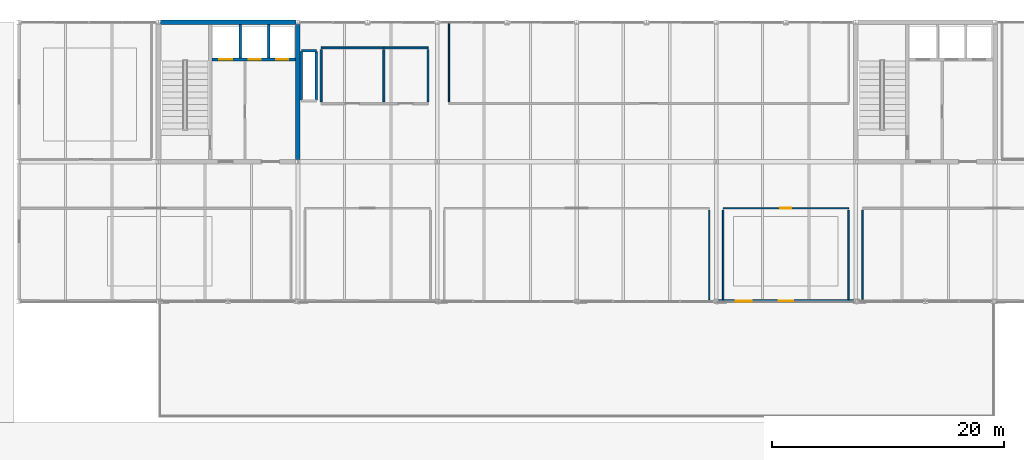
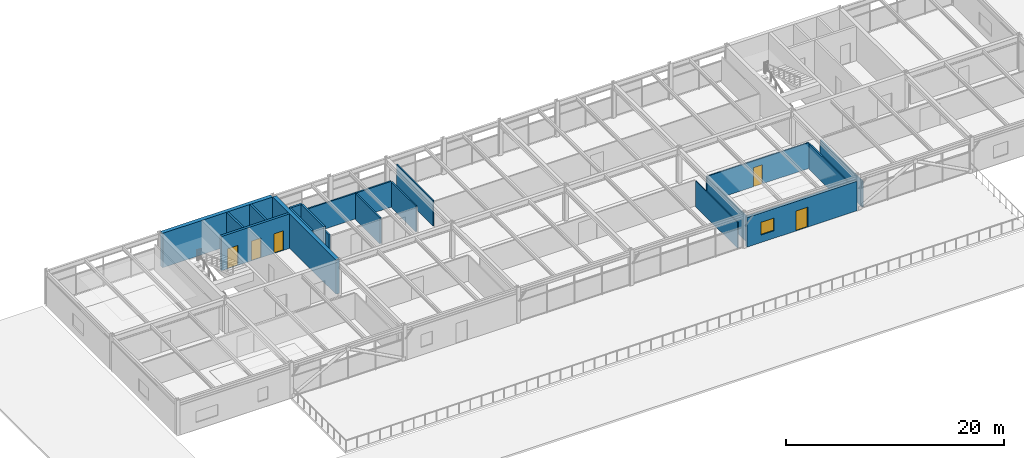
# One storey, part 24 of 30: 20 walls, 5 doors, 1 window, 6 openings.
"""IFC4 building model written with IfcOpenShell, lengths in metres."""

from ifc_helpers import new_model, si_unit, direction, frame, frame_2d, origin, place, context, subcontext, project, spatial, rectangle, extrude, material, layer, layer_set, type_object, element, fill, save


model = new_model("IFC4")

# Units and contexts
model_context = context("Model", 3, precision=1e-05, world=origin(), true_north=direction((0.0, 1.0)))
body_context = subcontext(model_context, "Body", "Model", "MODEL_VIEW")
ifc_project = project(units=[si_unit("LENGTHUNIT", "METRE"), si_unit("AREAUNIT", "SQUARE_METRE"), si_unit("VOLUMEUNIT", "CUBIC_METRE"), si_unit("PLANEANGLEUNIT", "RADIAN"), si_unit("MASSUNIT", "GRAM", prefix="KILO")], contexts=[model_context])

# Site, building, storey
site_placement = place(None, origin())
site = spatial("IfcSite", under=ifc_project, at=site_placement, CompositionType="ELEMENT")
building_placement = place(site_placement, origin())
building = spatial("IfcBuilding", under=site, at=building_placement, Name="Girod Span Mobility Hub", CompositionType="ELEMENT")
storey_placement = place(building_placement, frame((0.0, 0.0, 49.60009765625)))
storey = spatial("IfcBuildingStorey", under=building, at=storey_placement, Name="L12", CompositionType="ELEMENT", Elevation=49.60009765625)

# Walls
ifc_material_1 = material(Name="Concrete C40/50", Category="concrete")
ifc_layer_1 = layer(ifc_material_1, 0.39990234375)
ifc_layer_set_1 = layer_set([ifc_layer_1], Name="Concrete C40/50")
wall_type_1 = type_object("IfcWallType", Name="W-CW-400", PredefinedType="SHEAR", material=ifc_layer_set_1)
wall_1_placement = place(storey_placement, frame((48.181396484375, 69.0, 0.0), z_axis=(0.0, 0.0, 1.0), x_axis=(1.0, 0.0, 0.0)))
element("IfcWall", 1, at=wall_1_placement, inside=storey, type_object=wall_type_1, Name="Core C1 Shear Wall N L12", PredefinedType="SHEAR", context=body_context, shape_type="SweptSolid", body=[
    extrude(rectangle(XDim=11.63720703125, YDim=0.39990234375, at=frame_2d((5.818603515625, 0.0))), origin(), (0.0, 0.0, 1.0), 3.847900390625),
])
wall_2_placement = place(storey_placement, frame((60.0, 57.1845703125, 0.0), z_axis=(0.0, 0.0, 1.0), x_axis=(0.0, 1.0, 0.0)))
element("IfcWall", 2, at=wall_2_placement, inside=storey, type_object=wall_type_1, Name="Core C1 Shear Wall E L12", PredefinedType="SHEAR", context=body_context, shape_type="SweptSolid", body=[
    extrude(rectangle(XDim=11.640380859375, YDim=0.39990234375, at=frame_2d((5.8203125, 0.0))), origin(), (0.0, 0.0, 1.0), 3.847900390625),
])

# Wall, openings, door, window
ifc_material_2 = material(Name="Precast Architectural Concrete C40/50", Category="concrete")
ifc_layer_2 = layer(ifc_material_2, 0.27001953125)
ifc_layer_set_2 = layer_set([ifc_layer_2], Name="Precast Architectural Concrete C40/50")
wall_type_2 = type_object("IfcWallType", Name="W-EXT-270", PredefinedType="SOLIDWALL", material=ifc_layer_set_2)
wall_3_placement = place(storey_placement, frame((96.1826171875, 45.0, 0.0), z_axis=(0.0, 0.0, 1.0), x_axis=(1.0, 0.0, 0.0)))
wall_3 = element("IfcWall", 3, at=wall_3_placement, inside=storey, type_object=wall_type_2, Name="L12 South Sky Terrace Portal Wall 8", PredefinedType="SOLIDWALL", context=body_context, shape_type="SweptSolid", body=[
    extrude(rectangle(XDim=11.634765625, YDim=0.27001953125, at=frame_2d((5.8173828125, 0.0))), origin(), (0.0, 0.0, 1.0), 3.30078125),
])
opening_1_placement = place(wall_3_placement, frame((5.197021484375, 0.0, 0.0)))
opening_1 = element("IfcOpeningElement", 4, at=opening_1_placement, cuts=wall_3, Name="Opening D-L12-T8", PredefinedType="OPENING", context=body_context, shape_type="SweptSolid", body=[
    extrude(rectangle(XDim=1.239990234375, YDim=2.239990234375, at=frame_2d((0.6201171875, 1.1201171875))), frame((0.0, 0.14990234375, 0.0), z_axis=(0.0, -1.0, 0.0), x_axis=(1.0, 0.0, 0.0)), (0.0, 0.0, 1.0), 0.300048828125),
])
opening_2_placement = place(wall_3_placement, frame((1.5, 0.0, 0.85009765625)))
opening_2 = element("IfcOpeningElement", 5, at=opening_2_placement, cuts=wall_3, Name="Opening W-L12-T8", PredefinedType="OPENING", context=body_context, shape_type="SweptSolid", body=[
    extrude(rectangle(XDim=1.360107421875, YDim=1.419921875, at=frame_2d((0.68017578125, 0.7099609375))), frame((0.0, 0.14990234375, 0.0), z_axis=(0.0, -1.0, 0.0), x_axis=(1.0, 0.0, 0.0)), (0.0, 0.0, 1.0), 0.300048828125),
])
ifc_material_3 = material(Name="Thermally Broken Anodised Aluminium", Category="aluminium")
door_type_1 = type_object("IfcDoorType", Name="DR-EXT-07", OperationType="NOTDEFINED", PredefinedType="DOOR", material=ifc_material_3)
door_1_placement = place(opening_1_placement, origin())
door_1 = element("IfcDoor", 6, at=door_1_placement, inside=storey, type_object=door_type_1, Name="L12 South Sky Terrace Door 8", OperationType="SINGLE_SWING_RIGHT", OverallHeight=2.239990234375, OverallWidth=1.239990234375, PredefinedType="DOOR", context=body_context, shape_type="SweptSolid", body=[
    extrude(rectangle(XDim=1.239990234375, YDim=2.239990234375, at=frame_2d((0.6201171875, 1.1201171875))), frame((0.0, 0.02490234375, 0.0), z_axis=(0.0, -1.0, 0.0), x_axis=(1.0, 0.0, 0.0)), (0.0, 0.0, 1.0), 0.050048828125),
])
fill(opening_1, door_1)
ifc_material_4 = material(Name="Double Low-E Insulated Glazing", Category="glass")
window_type = type_object("IfcWindowType", Name="WN-13", PartitioningType="SINGLE_PANEL", PredefinedType="WINDOW", material=ifc_material_4)
window_placement = place(opening_2_placement, origin())
window = element("IfcWindow", 7, at=window_placement, inside=storey, type_object=window_type, Name="L12 Terrace Suite Window", OverallHeight=1.419921875, OverallWidth=1.360107421875, PartitioningType="SINGLE_PANEL", PredefinedType="WINDOW", context=body_context, shape_type="SweptSolid", body=[
    extrude(rectangle(XDim=1.360107421875, YDim=1.419921875, at=frame_2d((0.68017578125, 0.7099609375))), frame((0.0, 0.030029296875, 0.0), z_axis=(0.0, -1.0, 0.0), x_axis=(1.0, 0.0, 0.0)), (0.0, 0.0, 1.0), 0.06005859375),
])
fill(opening_2, window)

# Walls
ifc_material_5 = material(Name="Gypsum Acoustic Operable Panel on Galvanised Steel Framing", Category="steel")
ifc_layer_3 = layer(ifc_material_5, 0.10791015625)
ifc_layer_set_3 = layer_set([ifc_layer_3], Name="Gypsum Acoustic Operable Panel on Galvanised Steel Framing")
wall_type_3 = type_object("IfcWallType", Name="W-MOV-108", PredefinedType="MOVABLE", material=ifc_layer_set_3)
wall_4_placement = place(storey_placement, frame((95.39990234375, 45.139892578125, 0.0), z_axis=(0.0, 0.0, 1.0), x_axis=(0.0, 1.0, 0.0)))
element("IfcWall", 8, at=wall_4_placement, inside=storey, type_object=wall_type_3, Name="Boardroom Central L12 Partition E", PredefinedType="MOVABLE", context=body_context, shape_type="SweptSolid", body=[
    extrude(rectangle(XDim=7.7001953125, YDim=0.10791015625, at=frame_2d((3.85009765625, 0.0))), origin(), (0.0, 0.0, 1.0), 2.8798828125),
])
ifc_material_6 = material(Name="Fire-Rated Gypsum Board on Metal Studs", Category="gypsum")
ifc_layer_4 = layer(ifc_material_6, 0.155029296875)
ifc_layer_set_4 = layer_set([ifc_layer_4], Name="Fire-Rated Gypsum Board on Metal Studs")
wall_type_4 = type_object("IfcWallType", Name="W-PLB-155", PredefinedType="PLUMBINGWALL", material=ifc_layer_set_4)
wall_5_placement = place(storey_placement, frame((62.0, 66.800048828125, 0.0), z_axis=(0.0, 0.0, 1.0), x_axis=(1.0, 0.0, 0.0)))
element("IfcWall", 9, at=wall_5_placement, inside=storey, type_object=wall_type_4, Name="Restroom L12 Partition N", PredefinedType="PLUMBINGWALL", context=body_context, shape_type="SweptSolid", body=[
    extrude(rectangle(XDim=5.39990234375, YDim=0.155029296875, at=frame_2d((2.699951171875, 0.0))), origin(), (0.0, 0.0, 1.0), 2.8798828125),
])
for number, where, z_axis, x_axis, name in (
    (10, (62.0, 62.159912109375, 0.0), (0.0, 0.0, 1.0), (0.0, 1.0, 0.0), "Restroom L12 Partition W"),
    (11, (67.39990234375, 62.159912109375, 0.0), (0.0, 0.0, 1.0), (0.0, 1.0, 0.0), "Restroom L12 Partition E"),
):
    element("IfcWall", number, at=place(storey_placement, frame(where, z_axis=z_axis, x_axis=x_axis)), inside=storey, type_object=wall_type_4, Name=name, PredefinedType="PLUMBINGWALL", context=body_context, shape_type="SweptSolid", body=[
        extrude(rectangle(XDim=4.47998046875, YDim=0.155029296875, at=frame_2d((2.239990234375, 0.0))), origin(), (0.0, 0.0, 1.0), 2.8798828125),
    ])
wall_6_placement = place(storey_placement, frame((67.39990234375, 66.800048828125, 0.0), z_axis=(0.0, 0.0, 1.0), x_axis=(1.0, 0.0, 0.0)))
element("IfcWall", 12, at=wall_6_placement, inside=storey, type_object=wall_type_4, Name="Accessible WC L12 Partition N", PredefinedType="PLUMBINGWALL", context=body_context, shape_type="SweptSolid", body=[
    extrude(rectangle(XDim=3.800048828125, YDim=0.155029296875, at=frame_2d((1.89990234375, 0.0))), origin(), (0.0, 0.0, 1.0), 2.8798828125),
])
wall_7_placement = place(storey_placement, frame((71.199951171875, 62.159912109375, 0.0), z_axis=(0.0, 0.0, 1.0), x_axis=(0.0, 1.0, 0.0)))
element("IfcWall", 13, at=wall_7_placement, inside=storey, type_object=wall_type_4, Name="Accessible WC L12 Partition E", PredefinedType="PLUMBINGWALL", context=body_context, shape_type="SweptSolid", body=[
    extrude(rectangle(XDim=4.47998046875, YDim=0.155029296875, at=frame_2d((2.239990234375, 0.0))), origin(), (0.0, 0.0, 1.0), 2.8798828125),
])
ifc_material_7 = material(Name="Fire-Rated Gypsum Board on Metal Studs", Category="gypsum")
ifc_layer_5 = layer(ifc_material_7, 0.114990234375)
ifc_layer_set_5 = layer_set([ifc_layer_5], Name="Fire-Rated Gypsum Board on Metal Studs")
wall_type_5 = type_object("IfcWallType", Name="W-PT-115", PredefinedType="PARTITIONING", material=ifc_layer_set_5)
wall_8_placement = place(storey_placement, frame((73.0, 62.159912109375, 0.0), z_axis=(0.0, 0.0, 1.0), x_axis=(0.0, 1.0, 0.0)))
element("IfcWall", 14, at=wall_8_placement, inside=storey, type_object=wall_type_5, Name="Open Office North L12 Partition W", PredefinedType="PARTITIONING", context=body_context, shape_type="SweptSolid", body=[
    extrude(rectangle(XDim=6.7001953125, YDim=0.114990234375, at=frame_2d((3.35009765625, 0.0))), origin(), (0.0, 0.0, 1.0), 2.8798828125),
])

# Wall, opening, door
ifc_material_8 = material(Name="Fire-Rated Gypsum Board on Metal Studs", Category="gypsum")
ifc_layer_6 = layer(ifc_material_8, 0.125)
ifc_layer_set_6 = layer_set([ifc_layer_6], Name="Fire-Rated Gypsum Board on Metal Studs")
wall_type_6 = type_object("IfcWallType", Name="W-PT-125", PredefinedType="PARTITIONING", material=ifc_layer_set_6)
wall_9_placement = place(storey_placement, frame((96.60009765625, 53.0, 0.0), z_axis=(0.0, 0.0, 1.0), x_axis=(1.0, 0.0, 0.0)))
wall_9 = element("IfcWall", 15, at=wall_9_placement, inside=storey, type_object=wall_type_6, Name="Office Suite Terrace Portal East L12 Partition N", PredefinedType="PARTITIONING", context=body_context, shape_type="SweptSolid", body=[
    extrude(rectangle(XDim=10.7998046875, YDim=0.125, at=frame_2d((5.39990234375, 0.0))), origin(), (0.0, 0.0, 1.0), 2.8798828125),
])
opening_3_placement = place(wall_9_placement, frame((4.925048828125, 0.0, 0.0)))
opening_3 = element("IfcOpeningElement", 16, at=opening_3_placement, cuts=wall_9, Name="Opening D-L12-TERR-LGE", PredefinedType="OPENING", context=body_context, shape_type="SweptSolid", body=[
    extrude(rectangle(XDim=0.949951171875, YDim=2.1298828125, at=frame_2d((0.47509765625, 1.06494140625))), frame((0.0, 0.077392578125, 0.0), z_axis=(0.0, -1.0, 0.0), x_axis=(1.0, 0.0, 0.0)), (0.0, 0.0, 1.0), 0.155029296875),
])
ifc_material_9 = material(Name="Solid-Core Architectural Timber", Category="wood")
door_type_2 = type_object("IfcDoorType", Name="DT-NR-02", OperationType="NOTDEFINED", PredefinedType="DOOR", material=ifc_material_9)
door_2_placement = place(opening_3_placement, origin())
door_2 = element("IfcDoor", 17, at=door_2_placement, inside=storey, type_object=door_type_2, Name="Office Suite Terrace Portal East L12 Door", OperationType="SINGLE_SWING_RIGHT", OverallHeight=2.1298828125, OverallWidth=0.949951171875, PredefinedType="DOOR", context=body_context, shape_type="SweptSolid", body=[
    extrude(rectangle(XDim=0.949951171875, YDim=2.1298828125, at=frame_2d((0.47509765625, 1.06494140625))), frame((0.0, 0.02490234375, 0.0), z_axis=(0.0, -1.0, 0.0), x_axis=(1.0, 0.0, 0.0)), (0.0, 0.0, 1.0), 0.050048828125),
])
fill(opening_3, door_2)

# Walls
for number, where, z_axis, x_axis, name in (
    (18, (96.60009765625, 45.139892578125, 0.0), (0.0, 0.0, 1.0), (0.0, 1.0, 0.0), "Office Suite Terrace Portal East L12 Partition W"),
    (19, (107.39990234375, 45.139892578125, 0.0), (0.0, 0.0, 1.0), (0.0, 1.0, 0.0), "Office Suite Terrace Portal East L12 Partition E"),
):
    element("IfcWall", number, at=place(storey_placement, frame(where, z_axis=z_axis, x_axis=x_axis)), inside=storey, type_object=wall_type_6, Name=name, PredefinedType="PARTITIONING", context=body_context, shape_type="SweptSolid", body=[
        extrude(rectangle(XDim=7.7001953125, YDim=0.125, at=frame_2d((3.85009765625, 0.0))), origin(), (0.0, 0.0, 1.0), 2.8798828125),
    ])
ifc_material_10 = material(Name="Fire-Rated Gypsum Board on Metal Studs", Category="gypsum")
ifc_layer_7 = layer(ifc_material_10, 0.139892578125)
ifc_layer_set_7 = layer_set([ifc_layer_7], Name="Fire-Rated Gypsum Board on Metal Studs")
wall_type_7 = type_object("IfcWallType", Name="W-PT-140", PredefinedType="PARTITIONING", material=ifc_layer_set_7)
wall_10_placement = place(storey_placement, frame((108.60009765625, 45.139892578125, 0.0), z_axis=(0.0, 0.0, 1.0), x_axis=(0.0, 1.0, 0.0)))
element("IfcWall", 20, at=wall_10_placement, inside=storey, type_object=wall_type_7, Name="Office Suite East L12 Partition W", PredefinedType="PARTITIONING", context=body_context, shape_type="SweptSolid", body=[
    extrude(rectangle(XDim=7.7001953125, YDim=0.139892578125, at=frame_2d((3.85009765625, 0.0))), origin(), (0.0, 0.0, 1.0), 2.8798828125),
])
ifc_material_11 = material(Name="Concrete C40/50", Category="concrete")
ifc_layer_8 = layer(ifc_material_11, 0.199951171875)
ifc_layer_set_8 = layer_set([ifc_layer_8], Name="Concrete C40/50")
wall_type_8 = type_object("IfcWallType", Name="W-SH-200", PredefinedType="SOLIDWALL", material=ifc_layer_set_8)
wall_11_placement = place(storey_placement, frame((60.297119140625, 66.550048828125, 0.0), z_axis=(0.0, 0.0, 1.0), x_axis=(1.0, 0.0, 0.0)))
element("IfcWall", 21, at=wall_11_placement, inside=storey, type_object=wall_type_8, Name="Sanitary Wet Riser Shaft Wall N L12", PredefinedType="SOLIDWALL", context=body_context, shape_type="SweptSolid", body=[
    extrude(rectangle(XDim=1.282958984375, YDim=0.199951171875, at=frame_2d((0.6416015625, 0.0))), origin(), (0.0, 0.0, 1.0), 3.847900390625),
])
for number, where, z_axis, x_axis, name in (
    (22, (60.297119140625, 62.330078125, 0.0), (0.0, 0.0, 1.0), (0.0, 1.0, 0.0), "Sanitary Wet Riser Shaft Wall W L12"),
    (23, (61.580078125, 62.330078125, 0.0), (0.0, 0.0, 1.0), (0.0, 1.0, 0.0), "Sanitary Wet Riser Shaft Wall E L12"),
):
    element("IfcWall", number, at=place(storey_placement, frame(where, z_axis=z_axis, x_axis=x_axis)), inside=storey, type_object=wall_type_8, Name=name, PredefinedType="SOLIDWALL", context=body_context, shape_type="SweptSolid", body=[
        extrude(rectangle(XDim=4.139892578125, YDim=0.199951171875, at=frame_2d((2.06982421875, 0.0))), origin(), (0.0, 0.0, 1.0), 3.847900390625),
    ])
for number, where, z_axis, x_axis, name in (
    (24, (55.050048828125, 65.919921875, 0.0), (0.0, 0.0, 1.0), (0.0, 1.0, 0.0), "Core C1 Shaft Divider 1 L12"),
    (25, (57.47998046875, 65.919921875, 0.0), (0.0, 0.0, 1.0), (0.0, 1.0, 0.0), "Core C1 Shaft Divider 2 L12"),
):
    element("IfcWall", number, at=place(storey_placement, frame(where, z_axis=z_axis, x_axis=x_axis)), inside=storey, type_object=wall_type_8, Name=name, PredefinedType="SOLIDWALL", context=body_context, shape_type="SweptSolid", body=[
        extrude(rectangle(XDim=2.880126953125, YDim=0.199951171875, at=frame_2d((1.43994140625, 0.0))), origin(), (0.0, 0.0, 1.0), 3.837890625),
    ])

# Wall, openings, doors
ifc_material_12 = material(Name="Concrete C40/50", Category="concrete")
ifc_layer_9 = layer(ifc_material_12, 0.25)
ifc_layer_set_9 = layer_set([ifc_layer_9], Name="Concrete C40/50")
wall_type_9 = type_object("IfcWallType", Name="W-SH-250", PredefinedType="SOLIDWALL", material=ifc_layer_set_9)
wall_12_placement = place(storey_placement, frame((52.596923828125, 65.800048828125, 0.0), z_axis=(0.0, 0.0, 1.0), x_axis=(1.0, 0.0, 0.0)))
wall_12 = element("IfcWall", 26, at=wall_12_placement, inside=storey, type_object=wall_type_9, Name="Core C1 Hoistway Front Wall L12", PredefinedType="SOLIDWALL", context=body_context, shape_type="SweptSolid", body=[
    extrude(rectangle(XDim=7.2060546875, YDim=0.25, at=frame_2d((3.60302734375, 0.0))), origin(), (0.0, 0.0, 1.0), 3.847900390625),
])
opening_4_placement = place(wall_12_placement, frame((0.653076171875, 0.0, 0.0)))
opening_4 = element("IfcOpeningElement", 27, at=opening_4_placement, cuts=wall_12, Name="Opening LD-FL-1-L12", PredefinedType="OPENING", context=body_context, shape_type="SweptSolid", body=[
    extrude(rectangle(XDim=1.10009765625, YDim=2.239990234375, at=frame_2d((0.550048828125, 1.1201171875))), frame((0.0, 0.139892578125, 0.0), z_axis=(0.0, -1.0, 0.0), x_axis=(1.0, 0.0, 0.0)), (0.0, 0.0, 1.0), 0.280029296875),
])
opening_5_placement = place(wall_12_placement, frame((3.153076171875, 0.0, 0.0)))
opening_5 = element("IfcOpeningElement", 28, at=opening_5_placement, cuts=wall_12, Name="Opening LD-LP-1-L12", PredefinedType="OPENING", context=body_context, shape_type="SweptSolid", body=[
    extrude(rectangle(XDim=1.050048828125, YDim=2.199951171875, at=frame_2d((0.52490234375, 1.10009765625))), frame((0.0, 0.139892578125, 0.0), z_axis=(0.0, -1.0, 0.0), x_axis=(1.0, 0.0, 0.0)), (0.0, 0.0, 1.0), 0.280029296875),
])
opening_6_placement = place(wall_12_placement, frame((5.528076171875, 0.0, 0.0)))
opening_6 = element("IfcOpeningElement", 29, at=opening_6_placement, cuts=wall_12, Name="Opening LD-LP-2-L12", PredefinedType="OPENING", context=body_context, shape_type="SweptSolid", body=[
    extrude(rectangle(XDim=1.050048828125, YDim=2.199951171875, at=frame_2d((0.52490234375, 1.10009765625))), frame((0.0, 0.139892578125, 0.0), z_axis=(0.0, -1.0, 0.0), x_axis=(1.0, 0.0, 0.0)), (0.0, 0.0, 1.0), 0.280029296875),
])
ifc_material_13 = material(Name="Brushed Stainless Steel Grade 304", Category="steel")
door_type_3 = type_object("IfcDoorType", Name="LD-FL-110", OperationType="SLIDING_TO_LEFT", PredefinedType="USERDEFINED", material=ifc_material_13)
door_3_placement = place(opening_4_placement, origin())
door_3 = element("IfcDoor", 30, at=door_3_placement, inside=storey, type_object=door_type_3, Name="Lift FL-1 Sliding Landing Door L12", ObjectType="LANDING DOOR", OperationType="SLIDING_TO_LEFT", OverallHeight=2.239990234375, OverallWidth=1.10009765625, PredefinedType="USERDEFINED", context=body_context, shape_type="SweptSolid", body=[
    extrude(rectangle(XDim=1.10009765625, YDim=2.239990234375, at=frame_2d((0.550048828125, 1.1201171875))), frame((0.0, 0.02490234375, 0.0), z_axis=(0.0, -1.0, 0.0), x_axis=(1.0, 0.0, 0.0)), (0.0, 0.0, 1.0), 0.050048828125),
])
fill(opening_4, door_3)
ifc_material_14 = material(Name="Brushed Stainless Steel Grade 304", Category="steel")
door_type_4 = type_object("IfcDoorType", Name="LD-LP-105", OperationType="SLIDING_TO_LEFT", PredefinedType="USERDEFINED", material=ifc_material_14)
door_4_placement = place(opening_5_placement, origin())
door_4 = element("IfcDoor", 31, at=door_4_placement, inside=storey, type_object=door_type_4, Name="Lift LP-1 Sliding Landing Door L12", ObjectType="LANDING DOOR", OperationType="SLIDING_TO_LEFT", OverallHeight=2.199951171875, OverallWidth=1.050048828125, PredefinedType="USERDEFINED", context=body_context, shape_type="SweptSolid", body=[
    extrude(rectangle(XDim=1.050048828125, YDim=2.199951171875, at=frame_2d((0.52490234375, 1.10009765625))), frame((0.0, 0.02490234375, 0.0), z_axis=(0.0, -1.0, 0.0), x_axis=(1.0, 0.0, 0.0)), (0.0, 0.0, 1.0), 0.050048828125),
])
fill(opening_5, door_4)
door_5_placement = place(opening_6_placement, origin())
door_5 = element("IfcDoor", 32, at=door_5_placement, inside=storey, type_object=door_type_4, Name="Lift LP-2 Sliding Landing Door L12", ObjectType="LANDING DOOR", OperationType="SLIDING_TO_LEFT", OverallHeight=2.199951171875, OverallWidth=1.050048828125, PredefinedType="USERDEFINED", context=body_context, shape_type="SweptSolid", body=[
    extrude(rectangle(XDim=1.050048828125, YDim=2.199951171875, at=frame_2d((0.52490234375, 1.10009765625))), frame((0.0, 0.02490234375, 0.0), z_axis=(0.0, -1.0, 0.0), x_axis=(1.0, 0.0, 0.0)), (0.0, 0.0, 1.0), 0.050048828125),
])
fill(opening_6, door_5)

save(model, "model.ifc")
